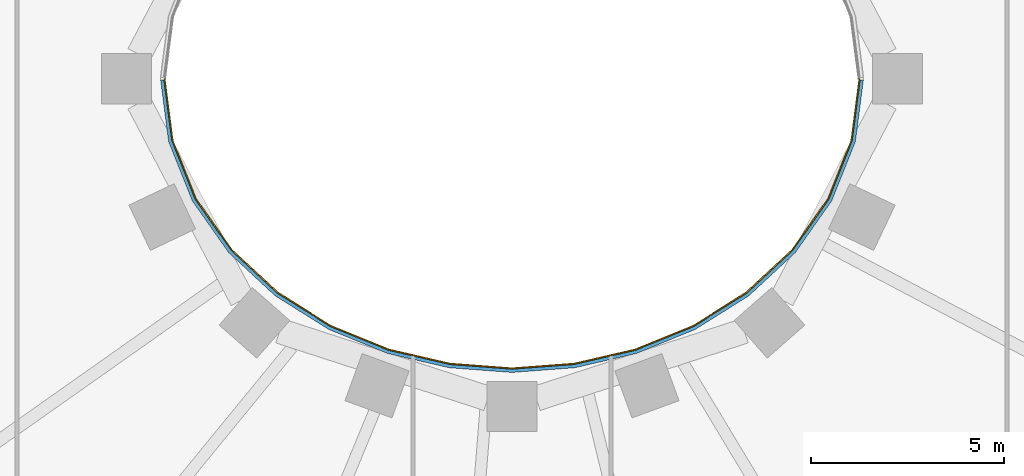
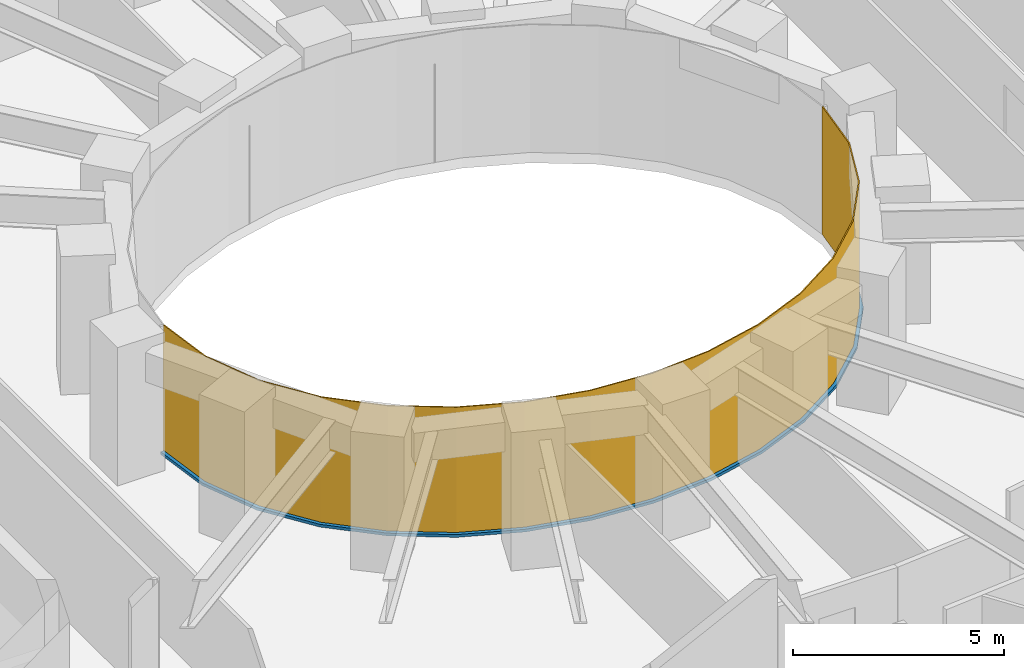
# One storey, part 9 of 16: 1 curtain wall, 1 member.
"""IFC4 building model written with IfcOpenShell, lengths in metres."""

from ifc_helpers import new_model, si_unit, direction, frame, origin, place, context, subcontext, project, spatial, polyline, outline, extrude, material, layer, layer_set, type_object, element, aggregate, save


model = new_model("IFC4")

# Units and contexts
model_context = context("Model", 3, precision=1e-05, world=origin(), true_north=direction((0.0, 1.0)))
body_context = subcontext(model_context, "Body", "Model", "MODEL_VIEW")
ifc_project = project(units=[si_unit("LENGTHUNIT", "METRE"), si_unit("AREAUNIT", "SQUARE_METRE"), si_unit("VOLUMEUNIT", "CUBIC_METRE"), si_unit("PLANEANGLEUNIT", "RADIAN"), si_unit("MASSUNIT", "GRAM", prefix="KILO")], contexts=[model_context])

# Member
ifc_material_1 = material(Name="Steel S355 fire-resisting frame", Category="steel")
member_type = type_object("IfcMemberType", Name="ENV-TRANSOM-W", PredefinedType="USERDEFINED", material=ifc_material_1)
site_placement = place(None, origin())
building_placement = place(site_placement, origin())
storey_placement = place(building_placement, frame((0.0, 0.0, 66.5)))
member_placement = place(storey_placement, origin())
member = element("IfcMember", 1, at=member_placement, type_object=member_type, Name="Transom W well 17-01", ObjectType="TRANSOM", PredefinedType="USERDEFINED", context=body_context, shape_type="SweptSolid", body=[
    extrude(outline(polyline([(-9.119384765625, -0.02783203125), (-8.910400390625, -1.63623046875), (-8.29833984375, -3.167236328125), (-7.35107421875, -4.5146484375), (-6.1455078125, -5.6337890625), (-4.75341796875, -6.50634765625), (-3.233642578125, -7.127685546875), (-1.635498046875, -7.498779296875), (0.0, -7.622314453125), (1.635498046875, -7.498779296875), (3.233642578125, -7.127685546875), (4.75341796875, -6.50634765625), (6.1455078125, -5.6337890625), (7.35107421875, -4.5146484375), (8.29833984375, -3.167236328125), (8.910400390625, -1.63623046875), (9.119384765625, -0.02783203125), (9.02880859375, -0.02783203125), (8.822509765625, -1.61328125), (8.21875, -3.124267578125), (7.282958984375, -4.455078125), (6.090576171875, -5.56201171875), (4.712158203125, -6.426025390625), (3.206298828125, -7.04150390625), (1.621826171875, -7.40966796875), (0.0, -7.531982421875), (-1.621826171875, -7.40966796875), (-3.206298828125, -7.04150390625), (-4.712158203125, -6.426025390625), (-6.090576171875, -5.56201171875), (-7.282958984375, -4.455078125), (-8.21875, -3.124267578125), (-8.822509765625, -1.61328125), (-9.02880859375, -0.02783203125), (-9.119384765625, -0.02783203125)])), origin(), (0.0, 0.0, 1.0), 0.080078125),
])

# Site, building, storey
site = spatial("IfcSite", under=ifc_project, at=site_placement, CompositionType="ELEMENT")
building = spatial("IfcBuilding", under=site, at=building_placement, Name="Noorbagh Ring Tower", CompositionType="ELEMENT")
storey = spatial("IfcBuildingStorey", under=building, at=storey_placement, Name="L14", CompositionType="ELEMENT", Elevation=66.5)

# Curtain wall
ifc_material_2 = material(Name="Glass fire-resisting E60 laminated", Category="glass")
ifc_layer = layer(ifc_material_2, 0.031982421875)
ifc_layer_set = layer_set([ifc_layer], Name="Glass fire-resisting E60 laminated")
curtain_wall_type = type_object("IfcCurtainWallType", Name="ENV-CW-W", PredefinedType="NOTDEFINED", material=ifc_layer_set)
curtain_wall_placement = place(storey_placement, origin())
curtain_wall = element("IfcCurtainWall", 2, at=curtain_wall_placement, inside=storey, type_object=curtain_wall_type, Name="Curtain wall W W17", PredefinedType="NOTDEFINED", context=body_context, shape_type="SweptSolid", body=[
    extrude(outline(polyline([(-9.0322265625, 0.0), (-8.822509765625, -1.61328125), (-8.21875, -3.124267578125), (-7.282958984375, -4.455078125), (-6.090576171875, -5.56201171875), (-4.712158203125, -6.426025390625), (-3.206298828125, -7.04150390625), (-1.621826171875, -7.40966796875), (0.0, -7.531982421875), (1.621826171875, -7.40966796875), (3.206298828125, -7.04150390625), (4.712158203125, -6.426025390625), (6.090576171875, -5.56201171875), (7.282958984375, -4.455078125), (8.21875, -3.124267578125), (8.822509765625, -1.61328125), (9.0322265625, 0.0), (9.0, 0.0), (8.79150390625, -1.605224609375), (8.1904296875, -3.10888671875), (7.2587890625, -4.43408203125), (6.071044921875, -5.53662109375), (4.697509765625, -6.3974609375), (3.196533203125, -7.010986328125), (1.6171875, -7.3779296875), (0.0, -7.5), (-1.6171875, -7.3779296875), (-3.196533203125, -7.010986328125), (-4.697509765625, -6.3974609375), (-6.071044921875, -5.53662109375), (-7.2587890625, -4.43408203125), (-8.1904296875, -3.10888671875), (-8.79150390625, -1.605224609375), (-9.0, 0.0), (-9.0322265625, 0.0)])), origin(), (0.0, 0.0, 1.0), 3.699951171875),
])

aggregate(curtain_wall, [member])

save(model, "model.ifc")
